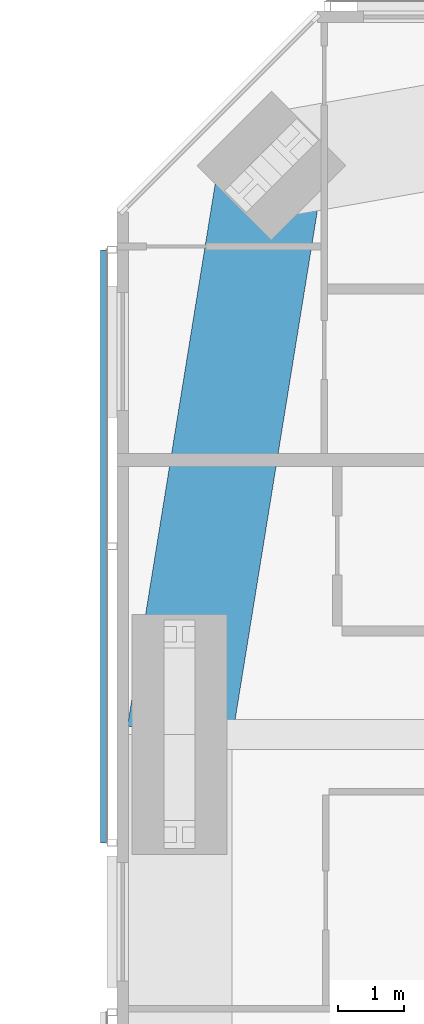
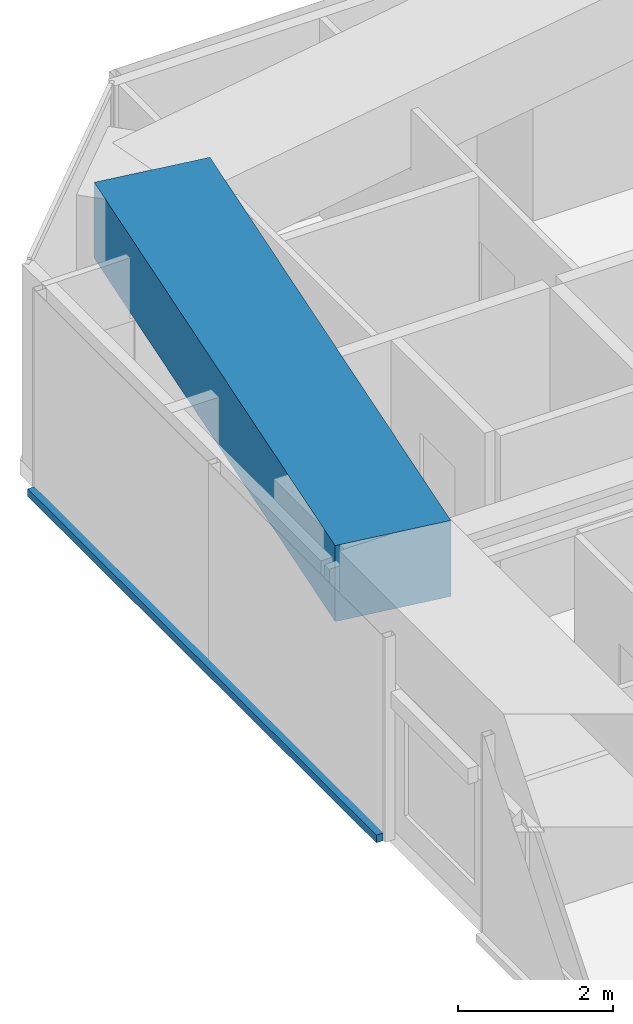
# One storey, part 6 of 23: 1 beam, 1 member, 1 element without a shape of its own.
"""IFC4 building model written with IfcOpenShell, lengths in metres."""

import ifcopenshell
import ifcopenshell.guid

model = None  # the IFC model being written
_history = None  # IfcOwnerHistory: only IFC2X3 demands one
_inside = {}  # id of a spatial element -> (the spatial element, [elements in it])
_under = {}  # id of a project, library or spatial element -> (it, [spatial elements below it])
_declared = {}  # id of a project -> (the project, [libraries it declares])
_typed = {}  # id of a type object -> (the type object, [elements of that type])
_made_of = {}  # id of a material, layer set ... -> (it, [elements and type objects made of it])


def new_model(schema):
    """Start an empty IFC model of exactly this schema.

    Asked for "IFC4X3", IfcOpenShell would pick the latest addendum, in which some entities
    have other attributes; the version numbers below select the first issue.
    IFC2X3 requires an IfcOwnerHistory on every rooted entity: one is made here for all.
    """
    global model, _history
    if schema == "IFC4X3":
        model = ifcopenshell.file(schema_version=(4, 3, 0, 0))
    else:
        model = ifcopenshell.file(schema=schema)
    _inside.clear()
    _under.clear()
    _declared.clear()
    _typed.clear()
    _made_of.clear()
    _history = None
    if model.schema == "IFC2X3":
        org = make("IfcOrganization", Name="unknown")
        user = make(
            "IfcPersonAndOrganization",
            ThePerson=make("IfcPerson", FamilyName="unknown"),
            TheOrganization=org,
        )
        app = make(
            "IfcApplication",
            ApplicationDeveloper=org,
            Version="unknown",
            ApplicationFullName="unknown",
            ApplicationIdentifier="unknown",
        )
        _history = make(
            "IfcOwnerHistory",
            OwningUser=user,
            OwningApplication=app,
            ChangeAction="ADDED",
            CreationDate=0,
        )
    return model


def make(cls, **values):
    """One entity of the class cls with the attributes given. An attribute that is None is left unset."""
    return model.create_entity(
        cls, **{name: value for name, value in values.items() if value is not None}
    )


def rooted(cls, **values):
    """An entity with a GlobalId (a new one), such as an element, a storey or a relation."""
    return make(cls, GlobalId=ifcopenshell.guid.new(), OwnerHistory=_history, **values)


def si_unit(unit_type, name, prefix=None):
    """IfcSIUnit, for example si_unit("LENGTHUNIT", "METRE", prefix="MILLI")."""
    return make("IfcSIUnit", UnitType=unit_type, Prefix=prefix, Name=name)


def assignment(units):
    """IfcUnitAssignment: the units of a project."""
    return None if units is None else make("IfcUnitAssignment", Units=units)


def point(xyz):
    """IfcCartesianPoint."""
    return None if xyz is None else make("IfcCartesianPoint", Coordinates=xyz)


def direction(xyz):
    """IfcDirection."""
    return None if xyz is None else make("IfcDirection", DirectionRatios=xyz)


def frame(location, z_axis=None, x_axis=None):
    """IfcAxis2Placement3D, a coordinate frame: its origin and axes. An axis left out is left unset."""
    return make(
        "IfcAxis2Placement3D",
        Location=point(location),
        Axis=direction(z_axis),
        RefDirection=direction(x_axis),
    )


def frame_2d(location, x_axis=None):
    """IfcAxis2Placement2D, a coordinate frame in the plane: its origin and x axis."""
    return make(
        "IfcAxis2Placement2D", Location=point(location), RefDirection=direction(x_axis)
    )


def origin():
    """The frame at (0, 0, 0) with its axes left unset."""
    return frame((0.0, 0.0, 0.0))


def origin_2d():
    """The frame at (0, 0) in the plane with its x axis left unset."""
    return frame_2d((0.0, 0.0))


def place(relative_to, where):
    """IfcLocalPlacement: puts the frame where relative to a parent placement (None: the world)."""
    return make(
        "IfcLocalPlacement", PlacementRelTo=relative_to, RelativePlacement=where
    )


def context(
    kind, dimensions, precision=None, world=None, true_north=None, identifier=None
):
    """IfcGeometricRepresentationContext, for example the 3D "Model" context."""
    return make(
        "IfcGeometricRepresentationContext",
        ContextIdentifier=identifier,
        ContextType=kind,
        CoordinateSpaceDimension=dimensions,
        Precision=precision,
        WorldCoordinateSystem=world,
        TrueNorth=true_north,
    )


def subcontext(parent, identifier, kind, view, scale=None):
    """IfcGeometricRepresentationSubContext, for example "Body" below "Model"."""
    return make(
        "IfcGeometricRepresentationSubContext",
        ContextIdentifier=identifier,
        ContextType=kind,
        ParentContext=parent,
        TargetScale=scale,
        TargetView=view,
    )


def project(units=None, contexts=None):
    """IfcProject with its units and contexts."""
    return rooted(
        "IfcProject",
        Name="project",
        RepresentationContexts=contexts,
        UnitsInContext=assignment(units),
    )


def spatial(cls, under=None, at=None, **own):
    """A site, building, storey or space (cls), placed at a placement, below another one or the project."""
    s = rooted(cls, ObjectPlacement=at, **own)
    if under is not None:
        _under.setdefault(under.id(), (under, []))[1].append(s)
    return s


def profile(cls, at=None, kind="AREA", **sizes):
    """A parametric profile (cls). Its sizes go by their IFC names, for example OverallWidth=200.0."""
    return make(cls, ProfileType=kind, Position=at, **sizes)


def rectangle(**sizes):
    """IfcRectangleProfileDef."""
    return profile("IfcRectangleProfileDef", **sizes)


def extrude(swept, where, along, depth):
    """IfcExtrudedAreaSolid: the profile swept, set in the frame where, extruded along a direction by depth."""
    return make(
        "IfcExtrudedAreaSolid",
        SweptArea=swept,
        Position=where,
        ExtrudedDirection=direction(along),
        Depth=depth,
    )


def shape(context_of_items, identifier, shape_type, items):
    """IfcShapeRepresentation: the items that make up one representation, for example the "Body"."""
    return make(
        "IfcShapeRepresentation",
        ContextOfItems=context_of_items,
        RepresentationIdentifier=identifier,
        RepresentationType=shape_type,
        Items=items,
    )


def material(Name=None, Category=None):
    """IfcMaterial."""
    return make("IfcMaterial", Name=Name, Category=Category)


def material_profile(
    of_material, cross_section, Name=None, Category=None, Priority=None
):
    """IfcMaterialProfile: a cross section and its material."""
    return make(
        "IfcMaterialProfile",
        Name=Name,
        Material=of_material,
        Profile=cross_section,
        Priority=Priority,
        Category=Category,
    )


def profile_set(profiles, Name=None, composite=None):
    """IfcMaterialProfileSet."""
    return make(
        "IfcMaterialProfileSet",
        Name=Name,
        MaterialProfiles=profiles,
        CompositeProfile=composite,
    )


def made_of(thing, what):
    """Note that an element or type object is made of a material, layer set ...; save() writes the relation."""
    if what is not None:
        _made_of.setdefault(what.id(), (what, []))[1].append(thing)
    return thing


def type_object(cls, material=None, **own):
    """A type object (cls), such as IfcWallType, which elements share."""
    return made_of(rooted(cls, **own), material)


def element(
    cls,
    number,
    at=None,
    inside=None,
    cuts=None,
    type_object=None,
    material=None,
    context=None,
    identifier="Body",
    shape_type=None,
    held_by="IfcProductDefinitionShape",
    body=None,
    shapes=None,
    **own,
):
    """One element of the class cls, such as IfcWall. Its Tag is "e" and its number.

    at: its placement. inside: the storey or other place that contains it. cuts: it is an
    opening in that element (IfcRelVoidsElement). A single representation is given by context,
    identifier, shape_type and body (its items); several are given by shapes. held_by: the class
    of the entity that holds the representations. save() writes the other relations.
    """
    e = rooted(cls, Tag="e%d" % number, ObjectPlacement=at, **own)
    if body is not None:
        shapes = [shape(context, identifier, shape_type, body)]
    if shapes is not None:
        e.Representation = make(held_by, Representations=shapes)
    if inside is not None:
        _inside.setdefault(inside.id(), (inside, []))[1].append(e)
    if cuts is not None:
        rooted(
            "IfcRelVoidsElement", RelatingBuildingElement=cuts, RelatedOpeningElement=e
        )
    if type_object is not None:
        _typed.setdefault(type_object.id(), (type_object, []))[1].append(e)
    return made_of(e, material)


def aggregate(whole, parts):
    """IfcRelAggregates: a whole, such as a stair, and the parts it consists of."""
    return rooted("IfcRelAggregates", RelatingObject=whole, RelatedObjects=parts)


def save(model, path):
    """Write the relations noted so far, then the file.

    IfcRelAggregates (storeys below a building ...), IfcRelContainedInSpatialStructure (elements
    in a storey), IfcRelDefinesByType, IfcRelAssociatesMaterial and IfcRelDeclares: one each for
    every whole, place, type object, material and project.
    """
    for whole, parts in _under.values():
        aggregate(whole, parts)
    for where, things in _inside.values():
        rooted(
            "IfcRelContainedInSpatialStructure",
            RelatedElements=things,
            RelatingStructure=where,
        )
    for kind, things in _typed.values():
        rooted("IfcRelDefinesByType", RelatedObjects=things, RelatingType=kind)
    for what, things in _made_of.values():
        rooted("IfcRelAssociatesMaterial", RelatedObjects=things, RelatingMaterial=what)
    for by, libraries in _declared.values():
        rooted("IfcRelDeclares", RelatingContext=by, RelatedDefinitions=libraries)
    model.write(path)


model = new_model("IFC4")

# Units and contexts
model_context = context("Model", 3, precision=1e-05, world=origin(), true_north=direction((0.0, 1.0)))
body_context = subcontext(model_context, "Body", "Model", "MODEL_VIEW")
ifc_project = project(units=[si_unit("LENGTHUNIT", "METRE"), si_unit("AREAUNIT", "SQUARE_METRE"), si_unit("VOLUMEUNIT", "CUBIC_METRE"), si_unit("PLANEANGLEUNIT", "RADIAN"), si_unit("MASSUNIT", "GRAM", prefix="KILO")], contexts=[model_context])

# Site, building, storey
site_placement = place(None, origin())
site = spatial("IfcSite", under=ifc_project, at=site_placement, CompositionType="ELEMENT")
building_placement = place(site_placement, origin())
building = spatial("IfcBuilding", under=site, at=building_placement, Name="Jalousie Tower", CompositionType="ELEMENT")
storey_placement = place(building_placement, frame((0.0, 0.0, 194.550048828125)))
storey = spatial("IfcBuildingStorey", under=building, at=storey_placement, Name="L53", CompositionType="ELEMENT", Elevation=194.550048828125)

# Beam
ifc_material_1 = material(Name="Concrete f'c 40 MPa", Category="concrete")
ifc_material_profile_1 = material_profile(ifc_material_1, rectangle(XDim=1.60009765625, YDim=1.199951171875, at=origin_2d()), Name="RC 1600x1200")
ifc_profile_set_1 = profile_set([ifc_material_profile_1], Name="Concrete f'c 40 MPa")
beam_type = type_object("IfcBeamType", Name="RC BEAM 1600x1200", PredefinedType="BEAM", material=ifc_profile_set_1)
beam_placement = place(storey_placement, frame((14.348388671875, 33.651611328125, 2.75), z_axis=(-0.159567878256, -0.987186959106, 0.0), x_axis=(0.987186959106, -0.159567878256, 0.0)))
element("IfcBeam", 1, at=beam_placement, inside=storey, type_object=beam_type, Name="Edge band beam 12-13 under L54", PredefinedType="BEAM", context=body_context, shape_type="SweptSolid", body=[
    extrude(rectangle(XDim=1.60009765625, YDim=1.199951171875, at=origin_2d()), origin(), (0.0, 0.0, 1.0), 8.763916015625),
])

# Curtain wall, member
ifc_material_2 = material(Name="Perforated aluminium sheet", Category="aluminium")
curtain_wall_type = type_object("IfcCurtainWallType", Name="SOLAR SCREEN SS-1", PredefinedType="USERDEFINED", material=ifc_material_2)
curtain_wall_placement = place(storey_placement, origin())
curtain_wall = element("IfcCurtainWall", 2, at=curtain_wall_placement, inside=storey, type_object=curtain_wall_type, Name="Solar screen L53", ObjectType="SOLAR SCREEN SS-1", PredefinedType="USERDEFINED")
ifc_material_3 = material(Name="Extruded aluminium screen rail", Category="aluminium")
ifc_material_profile_2 = material_profile(ifc_material_3, rectangle(XDim=0.1015625, YDim=0.1201171875, at=origin_2d()), Name="RAIL 102x120")
ifc_profile_set_2 = profile_set([ifc_material_profile_2], Name="Extruded aluminium screen rail")
member_type = type_object("IfcMemberType", Name="SOLAR SCREEN SS-1 TRANSOM", PredefinedType="USERDEFINED", material=ifc_profile_set_2)
member_placement = place(storey_placement, frame((11.8017578125, 32.3701171875, -0.06005859375), z_axis=(0.0, -1.0, 0.0), x_axis=(1.0, 0.0, 0.0)))
member = element("IfcMember", 3, at=member_placement, type_object=member_type, Name="SS1 rail", ObjectType="TRANSOM", PredefinedType="USERDEFINED", context=body_context, shape_type="SweptSolid", body=[
    extrude(rectangle(XDim=0.1015625, YDim=0.1201171875, at=origin_2d()), origin(), (0.0, 0.0, 1.0), 9.02001953125),
])
aggregate(curtain_wall, [member])

save(model, "model.ifc")
